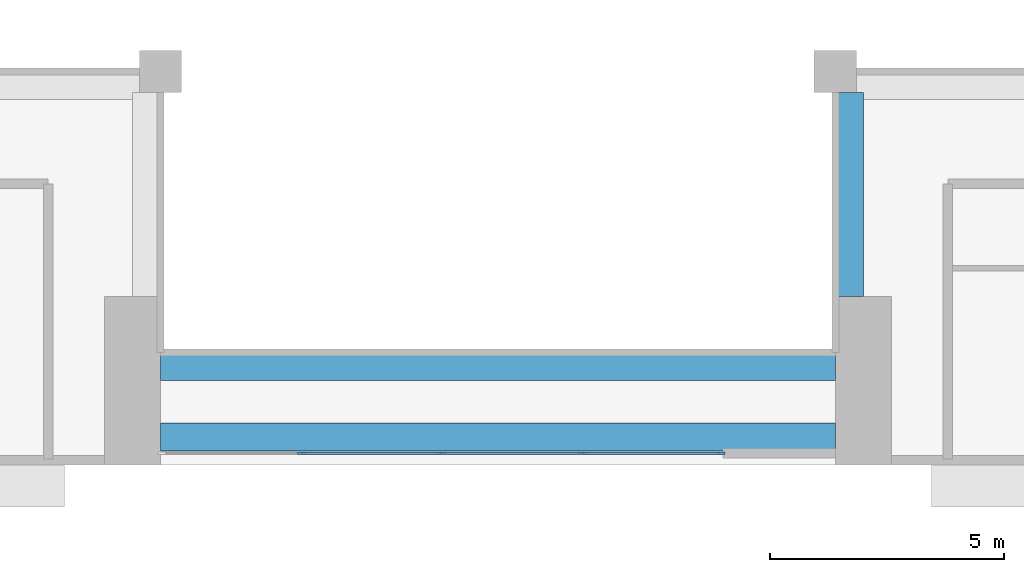
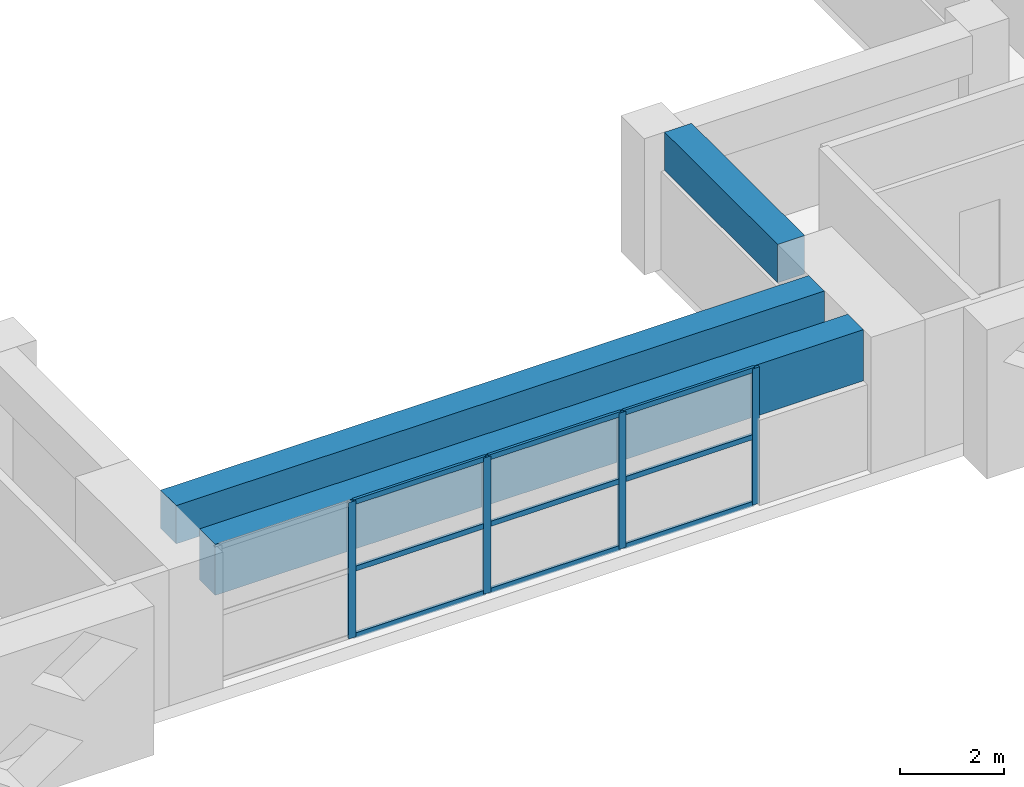
# One storey, part 4 of 20: 13 members, 3 beams, 1 element without a shape of its own.
"""IFC4 building model written with IfcOpenShell, lengths in metres."""

from ifc_helpers import new_model, si_unit, direction, frame, origin, origin_2d, place, context, subcontext, project, spatial, rectangle, extrude, source, transform, mapped, material, layer, layer_set, material_profile, profile_set, type_object, element, aggregate, save


model = new_model("IFC4")

# Units and contexts
model_context = context("Model", 3, precision=1e-05, world=origin(), true_north=direction((0.0, 1.0)))
body_context = subcontext(model_context, "Body", "Model", "MODEL_VIEW")
ifc_project = project(units=[si_unit("LENGTHUNIT", "METRE"), si_unit("AREAUNIT", "SQUARE_METRE"), si_unit("VOLUMEUNIT", "CUBIC_METRE"), si_unit("PLANEANGLEUNIT", "RADIAN"), si_unit("MASSUNIT", "GRAM", prefix="KILO")], contexts=[model_context])

# Site, building, storey
site_placement = place(None, origin())
site = spatial("IfcSite", under=ifc_project, at=site_placement, CompositionType="ELEMENT")
building_placement = place(site_placement, origin())
building = spatial("IfcBuilding", under=site, at=building_placement, Name="Saffron Iwan Residences", CompositionType="ELEMENT")
storey_placement = place(building_placement, frame((0.0, 0.0, 199.0)))
storey = spatial("IfcBuildingStorey", under=building, at=storey_placement, Name="L53", CompositionType="ELEMENT", Elevation=199.0)

# Beams
ifc_material_1 = material(Name="Concrete C50/60", Category="concrete")
ifc_material_profile_1 = material_profile(ifc_material_1, rectangle(XDim=0.60009765625, YDim=1.199951171875, at=origin_2d()), Name="RC 600x1200")
ifc_profile_set_1 = profile_set([ifc_material_profile_1], Name="Concrete C50/60")
beam_type_1 = type_object("IfcBeamType", Name="LINTEL BEAM RC 600x1200 C50/60 TOP 3200", PredefinedType="LINTEL", material=ifc_profile_set_1)
shared_shape_1 = source(origin(), body_context, "Body", "SweptSolid", [
    extrude(rectangle(XDim=0.60009765625, YDim=1.199951171875, at=origin_2d()), origin(), (0.0, 0.0, 1.0), 14.400146484375),
])
beam_1_placement = place(storey_placement, frame((57.60009765625, 40.199951171875, 2.60009765625), z_axis=(-1.0, 0.0, 0.0), x_axis=(0.0, -1.0, 0.0)))
element("IfcBeam", 1, at=beam_1_placement, inside=storey, type_object=beam_type_1, Name="Lintel beam over the iwan", PredefinedType="LINTEL", context=body_context, shape_type="MappedRepresentation", body=[
    mapped(shared_shape_1, transform((0.0, 0.0, 0.0))),
])
ifc_material_profile_2 = material_profile(ifc_material_1, rectangle(XDim=0.60009765625, YDim=0.89990234375, at=origin_2d()), Name="RC 600x900")
ifc_profile_set_2 = profile_set([ifc_material_profile_2], Name="Concrete C50/60")
beam_type_2 = type_object("IfcBeamType", Name="BEAM RC 600x900 C50/60 TOP 3200", PredefinedType="BEAM", material=ifc_profile_set_2)
shared_shape_2 = source(origin(), body_context, "Body", "SweptSolid", [
    extrude(rectangle(XDim=0.60009765625, YDim=0.89990234375, at=origin_2d()), origin(), (0.0, 0.0, 1.0), 14.400146484375),
])
beam_2_placement = place(storey_placement, frame((57.60009765625, 41.699951171875, 2.75), z_axis=(-1.0, 0.0, 0.0), x_axis=(0.0, -1.0, 0.0)))
element("IfcBeam", 2, at=beam_2_placement, inside=storey, type_object=beam_type_2, Name="Atrium edge beam", PredefinedType="BEAM", context=body_context, shape_type="MappedRepresentation", body=[
    mapped(shared_shape_2, transform((0.0, 0.0, 0.0))),
])
shared_shape_3 = source(origin(), body_context, "Body", "SweptSolid", [
    extrude(rectangle(XDim=0.60009765625, YDim=0.89990234375, at=origin_2d()), origin(), (0.0, 0.0, 1.0), 4.35009765625),
])
beam_3_placement = place(storey_placement, frame((57.89990234375, 47.550048828125, 2.75), z_axis=(0.0, -1.0, 0.0), x_axis=(1.0, 0.0, 0.0)))
element("IfcBeam", 3, at=beam_3_placement, inside=storey, type_object=beam_type_2, Name="Atrium edge beam", PredefinedType="BEAM", context=body_context, shape_type="MappedRepresentation", body=[
    mapped(shared_shape_3, transform((0.0, 0.0, 0.0))),
])

# Curtain wall, members
ifc_material_2 = material(Name="Clear glass, laminated double glazed", Category="glass")
ifc_layer = layer(ifc_material_2, 0.199951171875)
ifc_layer_set = layer_set([ifc_layer], Name="Clear glass, laminated double glazed")
curtain_wall_type = type_object("IfcCurtainWallType", Name="CW-B IWAN PORTAL", PredefinedType="NOTDEFINED", material=ifc_layer_set)
curtain_wall_placement = place(storey_placement, origin())
curtain_wall = element("IfcCurtainWall", 4, at=curtain_wall_placement, inside=storey, type_object=curtain_wall_type, Name="Iwan portal glazing L53.1", PredefinedType="NOTDEFINED")
ifc_material_3 = material(Name="Aluminium 6063-T6", Category="aluminium")
ifc_material_profile_3 = material_profile(ifc_material_3, rectangle(XDim=0.06005859375, YDim=0.1201171875, at=origin_2d()), Name="CW-B TRANSOM 60 x 120")
ifc_profile_set_3 = profile_set([ifc_material_profile_3], Name="Aluminium 6063-T6")
member_type_1 = type_object("IfcMemberType", Name="CW-B TRANSOM 60 x 120", PredefinedType="USERDEFINED", material=ifc_profile_set_3)
shared_shape_4 = source(origin(), body_context, "Body", "SweptSolid", [
    extrude(rectangle(XDim=0.06005859375, YDim=0.1201171875, at=origin_2d()), origin(), (0.0, 0.0, 1.0), 2.909912109375),
])
member_1_placement = place(storey_placement, frame((52.22998046875, 39.85009765625, 0.030029296875), z_axis=(1.0, 0.0, 0.0), x_axis=(0.0, 1.0, 0.0)))
member_1 = element("IfcMember", 5, at=member_1_placement, type_object=member_type_1, Name="CW-B transom 4.1", ObjectType="TRANSOM", PredefinedType="USERDEFINED", context=body_context, shape_type="MappedRepresentation", body=[
    mapped(shared_shape_4, transform((0.0, 0.0, 0.0))),
])
member_2_placement = place(storey_placement, frame((52.22998046875, 39.85009765625, 1.60009765625), z_axis=(1.0, 0.0, 0.0), x_axis=(0.0, 1.0, 0.0)))
member_2 = element("IfcMember", 6, at=member_2_placement, type_object=member_type_1, Name="CW-B transom 4.2", ObjectType="TRANSOM", PredefinedType="USERDEFINED", context=body_context, shape_type="MappedRepresentation", body=[
    mapped(shared_shape_4, transform((0.0, 0.0, 0.0))),
])
member_3_placement = place(storey_placement, frame((52.22998046875, 39.85009765625, 3.169921875), z_axis=(1.0, 0.0, 0.0), x_axis=(0.0, 1.0, 0.0)))
member_3 = element("IfcMember", 7, at=member_3_placement, type_object=member_type_1, Name="CW-B transom 4.3", ObjectType="TRANSOM", PredefinedType="USERDEFINED", context=body_context, shape_type="MappedRepresentation", body=[
    mapped(shared_shape_4, transform((0.0, 0.0, 0.0))),
])
shared_shape_5 = source(origin(), body_context, "Body", "SweptSolid", [
    extrude(rectangle(XDim=0.06005859375, YDim=0.1201171875, at=origin_2d()), origin(), (0.0, 0.0, 1.0), 2.93994140625),
])
member_4_placement = place(storey_placement, frame((46.22998046875, 39.85009765625, 0.030029296875), z_axis=(1.0, 0.0, 0.0), x_axis=(0.0, 1.0, 0.0)))
member_4 = element("IfcMember", 8, at=member_4_placement, type_object=member_type_1, Name="CW-B transom 2.1", ObjectType="TRANSOM", PredefinedType="USERDEFINED", context=body_context, shape_type="MappedRepresentation", body=[
    mapped(shared_shape_5, transform((0.0, 0.0, 0.0))),
])
member_5_placement = place(storey_placement, frame((46.22998046875, 39.85009765625, 1.60009765625), z_axis=(1.0, 0.0, 0.0), x_axis=(0.0, 1.0, 0.0)))
member_5 = element("IfcMember", 9, at=member_5_placement, type_object=member_type_1, Name="CW-B transom 2.2", ObjectType="TRANSOM", PredefinedType="USERDEFINED", context=body_context, shape_type="MappedRepresentation", body=[
    mapped(shared_shape_5, transform((0.0, 0.0, 0.0))),
])
member_6_placement = place(storey_placement, frame((46.22998046875, 39.85009765625, 3.169921875), z_axis=(1.0, 0.0, 0.0), x_axis=(0.0, 1.0, 0.0)))
member_6 = element("IfcMember", 10, at=member_6_placement, type_object=member_type_1, Name="CW-B transom 2.3", ObjectType="TRANSOM", PredefinedType="USERDEFINED", context=body_context, shape_type="MappedRepresentation", body=[
    mapped(shared_shape_5, transform((0.0, 0.0, 0.0))),
])
member_7_placement = place(storey_placement, frame((49.22998046875, 39.85009765625, 0.030029296875), z_axis=(1.0, 0.0, 0.0), x_axis=(0.0, 1.0, 0.0)))
member_7 = element("IfcMember", 11, at=member_7_placement, type_object=member_type_1, Name="CW-B transom 3.1", ObjectType="TRANSOM", PredefinedType="USERDEFINED", context=body_context, shape_type="MappedRepresentation", body=[
    mapped(shared_shape_5, transform((0.0, 0.0, 0.0))),
])
member_8_placement = place(storey_placement, frame((49.22998046875, 39.85009765625, 1.60009765625), z_axis=(1.0, 0.0, 0.0), x_axis=(0.0, 1.0, 0.0)))
member_8 = element("IfcMember", 12, at=member_8_placement, type_object=member_type_1, Name="CW-B transom 3.2", ObjectType="TRANSOM", PredefinedType="USERDEFINED", context=body_context, shape_type="MappedRepresentation", body=[
    mapped(shared_shape_5, transform((0.0, 0.0, 0.0))),
])
member_9_placement = place(storey_placement, frame((49.22998046875, 39.85009765625, 3.169921875), z_axis=(1.0, 0.0, 0.0), x_axis=(0.0, 1.0, 0.0)))
member_9 = element("IfcMember", 13, at=member_9_placement, type_object=member_type_1, Name="CW-B transom 3.3", ObjectType="TRANSOM", PredefinedType="USERDEFINED", context=body_context, shape_type="MappedRepresentation", body=[
    mapped(shared_shape_5, transform((0.0, 0.0, 0.0))),
])
ifc_material_profile_4 = material_profile(ifc_material_3, rectangle(XDim=0.06005859375, YDim=0.159912109375, at=origin_2d()), Name="CW-B MULLION 60 x 160")
ifc_profile_set_4 = profile_set([ifc_material_profile_4], Name="Aluminium 6063-T6")
member_type_2 = type_object("IfcMemberType", Name="CW-B MULLION 60 x 160", PredefinedType="MULLION", material=ifc_profile_set_4)
shared_shape_6 = source(origin(), body_context, "Body", "SweptSolid", [
    extrude(rectangle(XDim=0.06005859375, YDim=0.159912109375, at=origin_2d()), origin(), (0.0, 0.0, 1.0), 3.199951171875),
])
member_10_placement = place(storey_placement, frame((46.199951171875, 39.85009765625, 0.0), z_axis=(0.0, 0.0, 1.0), x_axis=(0.0, 1.0, 0.0)))
member_10 = element("IfcMember", 14, at=member_10_placement, type_object=member_type_2, Name="CW-B mullion 2", PredefinedType="MULLION", context=body_context, shape_type="MappedRepresentation", body=[
    mapped(shared_shape_6, transform((0.0, 0.0, 0.0))),
])
member_11_placement = place(storey_placement, frame((49.199951171875, 39.85009765625, 0.0), z_axis=(0.0, 0.0, 1.0), x_axis=(0.0, 1.0, 0.0)))
member_11 = element("IfcMember", 15, at=member_11_placement, type_object=member_type_2, Name="CW-B mullion 3", PredefinedType="MULLION", context=body_context, shape_type="MappedRepresentation", body=[
    mapped(shared_shape_6, transform((0.0, 0.0, 0.0))),
])
member_12_placement = place(storey_placement, frame((52.199951171875, 39.85009765625, 0.0), z_axis=(0.0, 0.0, 1.0), x_axis=(0.0, 1.0, 0.0)))
member_12 = element("IfcMember", 16, at=member_12_placement, type_object=member_type_2, Name="CW-B mullion 4", PredefinedType="MULLION", context=body_context, shape_type="MappedRepresentation", body=[
    mapped(shared_shape_6, transform((0.0, 0.0, 0.0))),
])
member_13_placement = place(storey_placement, frame((55.169921875, 39.85009765625, 0.0), z_axis=(0.0, 0.0, 1.0), x_axis=(0.0, 1.0, 0.0)))
member_13 = element("IfcMember", 17, at=member_13_placement, type_object=member_type_2, Name="CW-B mullion 5", PredefinedType="MULLION", context=body_context, shape_type="MappedRepresentation", body=[
    mapped(shared_shape_6, transform((0.0, 0.0, 0.0))),
])
aggregate(curtain_wall, [member_10, member_11, member_12, member_13, member_4, member_5, member_6, member_7, member_8, member_9, member_1, member_2, member_3])

save(model, "model.ifc")
